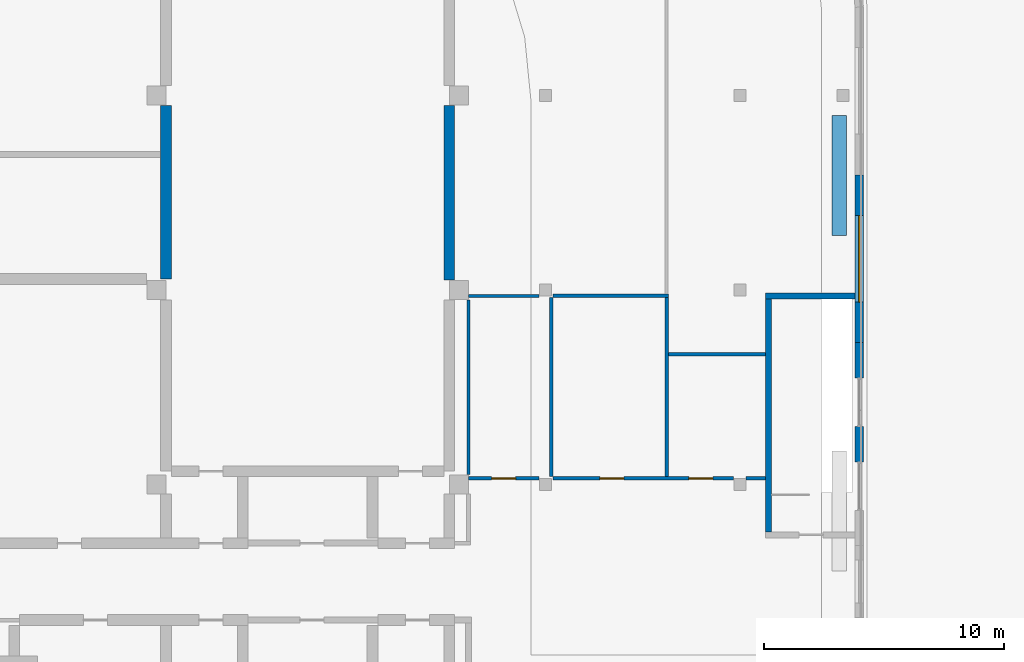
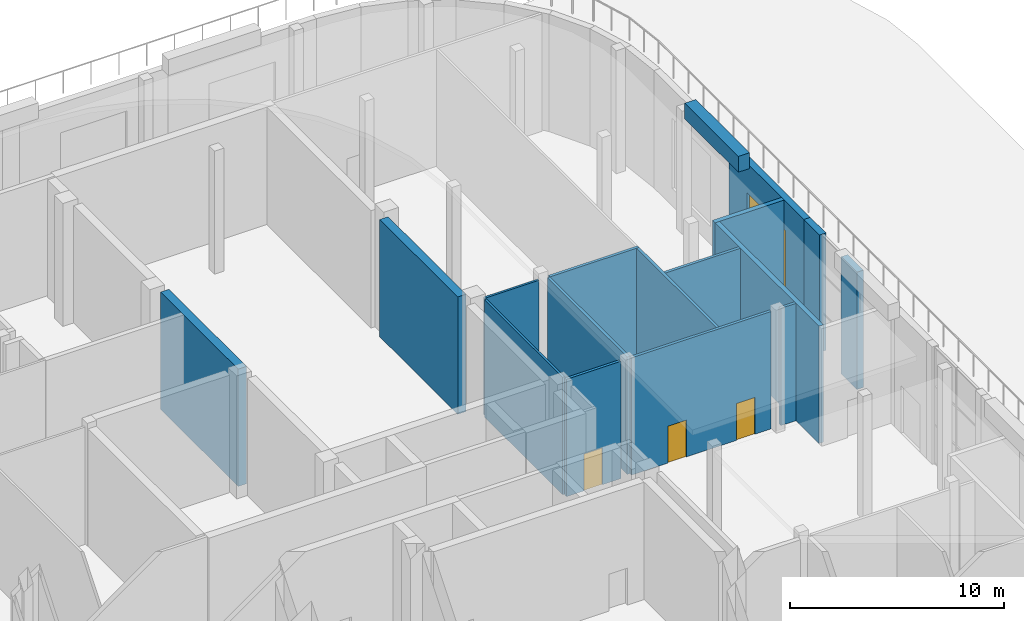
# One storey, part 14 of 21: 17 walls, 3 doors, 1 window, 4 openings.
"""IFC4 building model written with IfcOpenShell, lengths in metres."""

import ifcopenshell
import ifcopenshell.guid

model = None  # the IFC model being written
_history = None  # IfcOwnerHistory: only IFC2X3 demands one
_inside = {}  # id of a spatial element -> (the spatial element, [elements in it])
_under = {}  # id of a project, library or spatial element -> (it, [spatial elements below it])
_declared = {}  # id of a project -> (the project, [libraries it declares])
_typed = {}  # id of a type object -> (the type object, [elements of that type])
_made_of = {}  # id of a material, layer set ... -> (it, [elements and type objects made of it])


def new_model(schema):
    """Start an empty IFC model of exactly this schema.

    Asked for "IFC4X3", IfcOpenShell would pick the latest addendum, in which some entities
    have other attributes; the version numbers below select the first issue.
    IFC2X3 requires an IfcOwnerHistory on every rooted entity: one is made here for all.
    """
    global model, _history
    if schema == "IFC4X3":
        model = ifcopenshell.file(schema_version=(4, 3, 0, 0))
    else:
        model = ifcopenshell.file(schema=schema)
    _inside.clear()
    _under.clear()
    _declared.clear()
    _typed.clear()
    _made_of.clear()
    _history = None
    if model.schema == "IFC2X3":
        org = make("IfcOrganization", Name="unknown")
        user = make(
            "IfcPersonAndOrganization",
            ThePerson=make("IfcPerson", FamilyName="unknown"),
            TheOrganization=org,
        )
        app = make(
            "IfcApplication",
            ApplicationDeveloper=org,
            Version="unknown",
            ApplicationFullName="unknown",
            ApplicationIdentifier="unknown",
        )
        _history = make(
            "IfcOwnerHistory",
            OwningUser=user,
            OwningApplication=app,
            ChangeAction="ADDED",
            CreationDate=0,
        )
    return model


def make(cls, **values):
    """One entity of the class cls with the attributes given. An attribute that is None is left unset."""
    return model.create_entity(
        cls, **{name: value for name, value in values.items() if value is not None}
    )


def rooted(cls, **values):
    """An entity with a GlobalId (a new one), such as an element, a storey or a relation."""
    return make(cls, GlobalId=ifcopenshell.guid.new(), OwnerHistory=_history, **values)


def si_unit(unit_type, name, prefix=None):
    """IfcSIUnit, for example si_unit("LENGTHUNIT", "METRE", prefix="MILLI")."""
    return make("IfcSIUnit", UnitType=unit_type, Prefix=prefix, Name=name)


def assignment(units):
    """IfcUnitAssignment: the units of a project."""
    return None if units is None else make("IfcUnitAssignment", Units=units)


def point(xyz):
    """IfcCartesianPoint."""
    return None if xyz is None else make("IfcCartesianPoint", Coordinates=xyz)


def direction(xyz):
    """IfcDirection."""
    return None if xyz is None else make("IfcDirection", DirectionRatios=xyz)


def frame(location, z_axis=None, x_axis=None):
    """IfcAxis2Placement3D, a coordinate frame: its origin and axes. An axis left out is left unset."""
    return make(
        "IfcAxis2Placement3D",
        Location=point(location),
        Axis=direction(z_axis),
        RefDirection=direction(x_axis),
    )


def frame_2d(location, x_axis=None):
    """IfcAxis2Placement2D, a coordinate frame in the plane: its origin and x axis."""
    return make(
        "IfcAxis2Placement2D", Location=point(location), RefDirection=direction(x_axis)
    )


def origin():
    """The frame at (0, 0, 0) with its axes left unset."""
    return frame((0.0, 0.0, 0.0))


def place(relative_to, where):
    """IfcLocalPlacement: puts the frame where relative to a parent placement (None: the world)."""
    return make(
        "IfcLocalPlacement", PlacementRelTo=relative_to, RelativePlacement=where
    )


def context(
    kind, dimensions, precision=None, world=None, true_north=None, identifier=None
):
    """IfcGeometricRepresentationContext, for example the 3D "Model" context."""
    return make(
        "IfcGeometricRepresentationContext",
        ContextIdentifier=identifier,
        ContextType=kind,
        CoordinateSpaceDimension=dimensions,
        Precision=precision,
        WorldCoordinateSystem=world,
        TrueNorth=true_north,
    )


def subcontext(parent, identifier, kind, view, scale=None):
    """IfcGeometricRepresentationSubContext, for example "Body" below "Model"."""
    return make(
        "IfcGeometricRepresentationSubContext",
        ContextIdentifier=identifier,
        ContextType=kind,
        ParentContext=parent,
        TargetScale=scale,
        TargetView=view,
    )


def project(units=None, contexts=None):
    """IfcProject with its units and contexts."""
    return rooted(
        "IfcProject",
        Name="project",
        RepresentationContexts=contexts,
        UnitsInContext=assignment(units),
    )


def spatial(cls, under=None, at=None, **own):
    """A site, building, storey or space (cls), placed at a placement, below another one or the project."""
    s = rooted(cls, ObjectPlacement=at, **own)
    if under is not None:
        _under.setdefault(under.id(), (under, []))[1].append(s)
    return s


def profile(cls, at=None, kind="AREA", **sizes):
    """A parametric profile (cls). Its sizes go by their IFC names, for example OverallWidth=200.0."""
    return make(cls, ProfileType=kind, Position=at, **sizes)


def rectangle(**sizes):
    """IfcRectangleProfileDef."""
    return profile("IfcRectangleProfileDef", **sizes)


def extrude(swept, where, along, depth):
    """IfcExtrudedAreaSolid: the profile swept, set in the frame where, extruded along a direction by depth."""
    return make(
        "IfcExtrudedAreaSolid",
        SweptArea=swept,
        Position=where,
        ExtrudedDirection=direction(along),
        Depth=depth,
    )


def shape(context_of_items, identifier, shape_type, items):
    """IfcShapeRepresentation: the items that make up one representation, for example the "Body"."""
    return make(
        "IfcShapeRepresentation",
        ContextOfItems=context_of_items,
        RepresentationIdentifier=identifier,
        RepresentationType=shape_type,
        Items=items,
    )


def material(Name=None, Category=None):
    """IfcMaterial."""
    return make("IfcMaterial", Name=Name, Category=Category)


def layer(
    of_material, thickness, ventilated=None, Name=None, Category=None, Priority=None
):
    """IfcMaterialLayer: one layer of a wall or slab, of a material (None: an air gap)."""
    return make(
        "IfcMaterialLayer",
        Material=of_material,
        LayerThickness=thickness,
        IsVentilated=ventilated,
        Name=Name,
        Category=Category,
        Priority=Priority,
    )


def layer_set(layers, Name=None):
    """IfcMaterialLayerSet."""
    return make("IfcMaterialLayerSet", MaterialLayers=layers, LayerSetName=Name)


def made_of(thing, what):
    """Note that an element or type object is made of a material, layer set ...; save() writes the relation."""
    if what is not None:
        _made_of.setdefault(what.id(), (what, []))[1].append(thing)
    return thing


def type_object(cls, material=None, **own):
    """A type object (cls), such as IfcWallType, which elements share."""
    return made_of(rooted(cls, **own), material)


def element(
    cls,
    number,
    at=None,
    inside=None,
    cuts=None,
    type_object=None,
    material=None,
    context=None,
    identifier="Body",
    shape_type=None,
    held_by="IfcProductDefinitionShape",
    body=None,
    shapes=None,
    **own,
):
    """One element of the class cls, such as IfcWall. Its Tag is "e" and its number.

    at: its placement. inside: the storey or other place that contains it. cuts: it is an
    opening in that element (IfcRelVoidsElement). A single representation is given by context,
    identifier, shape_type and body (its items); several are given by shapes. held_by: the class
    of the entity that holds the representations. save() writes the other relations.
    """
    e = rooted(cls, Tag="e%d" % number, ObjectPlacement=at, **own)
    if body is not None:
        shapes = [shape(context, identifier, shape_type, body)]
    if shapes is not None:
        e.Representation = make(held_by, Representations=shapes)
    if inside is not None:
        _inside.setdefault(inside.id(), (inside, []))[1].append(e)
    if cuts is not None:
        rooted(
            "IfcRelVoidsElement", RelatingBuildingElement=cuts, RelatedOpeningElement=e
        )
    if type_object is not None:
        _typed.setdefault(type_object.id(), (type_object, []))[1].append(e)
    return made_of(e, material)


def fill(opening, filler):
    """IfcRelFillsElement: the door or window that sits in an opening."""
    return rooted(
        "IfcRelFillsElement",
        RelatingOpeningElement=opening,
        RelatedBuildingElement=filler,
    )


def aggregate(whole, parts):
    """IfcRelAggregates: a whole, such as a stair, and the parts it consists of."""
    return rooted("IfcRelAggregates", RelatingObject=whole, RelatedObjects=parts)


def save(model, path):
    """Write the relations noted so far, then the file.

    IfcRelAggregates (storeys below a building ...), IfcRelContainedInSpatialStructure (elements
    in a storey), IfcRelDefinesByType, IfcRelAssociatesMaterial and IfcRelDeclares: one each for
    every whole, place, type object, material and project.
    """
    for whole, parts in _under.values():
        aggregate(whole, parts)
    for where, things in _inside.values():
        rooted(
            "IfcRelContainedInSpatialStructure",
            RelatedElements=things,
            RelatingStructure=where,
        )
    for kind, things in _typed.values():
        rooted("IfcRelDefinesByType", RelatedObjects=things, RelatingType=kind)
    for what, things in _made_of.values():
        rooted("IfcRelAssociatesMaterial", RelatedObjects=things, RelatingMaterial=what)
    for by, libraries in _declared.values():
        rooted("IfcRelDeclares", RelatingContext=by, RelatedDefinitions=libraries)
    model.write(path)


model = new_model("IFC4")

# Units and contexts
model_context = context("Model", 3, precision=1e-05, world=origin(), true_north=direction((0.0, 1.0)))
body_context = subcontext(model_context, "Body", "Model", "MODEL_VIEW")
ifc_project = project(units=[si_unit("LENGTHUNIT", "METRE"), si_unit("AREAUNIT", "SQUARE_METRE"), si_unit("VOLUMEUNIT", "CUBIC_METRE"), si_unit("PLANEANGLEUNIT", "RADIAN"), si_unit("MASSUNIT", "GRAM", prefix="KILO")], contexts=[model_context])

# Site, building, storey
site_placement = place(None, origin())
site = spatial("IfcSite", under=ifc_project, at=site_placement, CompositionType="ELEMENT")
building_placement = place(site_placement, origin())
building = spatial("IfcBuilding", under=site, at=building_placement, Name="Torre Triforio", CompositionType="ELEMENT")
storey_placement = place(building_placement, frame((0.0, 0.0, 6.0)))
storey = spatial("IfcBuildingStorey", under=building, at=storey_placement, Name="L01", CompositionType="ELEMENT", Elevation=6.0)

# Wall, opening, door
ifc_material_1 = material(Name="Plasterboard on metal studs")
ifc_layer_1 = layer(ifc_material_1, 0.14990234375)
ifc_layer_set_1 = layer_set([ifc_layer_1], Name="Plasterboard on metal studs")
wall_type_1 = type_object("IfcWallType", Name="Corridor wall 150 EI 60", PredefinedType="PARTITIONING", material=ifc_layer_set_1)
wall_1_placement = place(storey_placement, frame((45.409912109375, 8.35009765625, 0.0), z_axis=(0.0, 0.0, 1.0), x_axis=(1.0, 0.0, 0.0)))
wall_1 = element("IfcWall", 1, at=wall_1_placement, inside=storey, type_object=wall_type_1, Name="Corridor wall L01 085", PredefinedType="PARTITIONING", context=body_context, shape_type="SweptSolid", body=[
    extrude(rectangle(XDim=2.93017578125, YDim=0.14990234375, at=frame_2d((1.465087890625, 0.0))), origin(), (0.0, 0.0, 1.0), 6.679931640625),
])
opening_1_placement = place(wall_1_placement, frame((0.949951171875, 0.0, 0.0)))
opening_1 = element("IfcOpeningElement", 2, at=opening_1_placement, cuts=wall_1, Name="Opening P1-26", PredefinedType="OPENING", context=body_context, shape_type="SweptSolid", body=[
    extrude(rectangle(XDim=1.0, YDim=2.10009765625, at=frame_2d((0.5, 1.050048828125))), frame((0.0, 0.0849609375, 0.0), z_axis=(0.0, -1.0, 0.0), x_axis=(1.0, 0.0, 0.0)), (0.0, 0.0, 1.0), 0.169921875),
])
ifc_material_2 = material(Name="Timber door leaf", Category="wood")
door_type_1 = type_object("IfcDoorType", Name="Single door 1000 x 2100 EI 30", OperationType="NOTDEFINED", PredefinedType="DOOR", material=ifc_material_2)
door_1_placement = place(opening_1_placement, origin())
door_1 = element("IfcDoor", 3, at=door_1_placement, inside=storey, type_object=door_type_1, Name="Door P1-26", OperationType="SINGLE_SWING_LEFT", OverallHeight=2.10009765625, OverallWidth=1.0, PredefinedType="DOOR", context=body_context, shape_type="SweptSolid", body=[
    extrude(rectangle(XDim=1.0, YDim=2.10009765625, at=frame_2d((0.5, 1.050048828125))), frame((0.0, 0.02490234375, 0.0), z_axis=(0.0, -1.0, 0.0), x_axis=(1.0, 0.0, 0.0)), (0.0, 0.0, 1.0), 0.050048828125),
])
fill(opening_1, door_1)

# Walls
ifc_layer_2 = layer(ifc_material_1, 0.1201171875)
ifc_layer_set_2 = layer_set([ifc_layer_2], Name="Plasterboard on metal studs")
wall_type_2 = type_object("IfcWallType", Name="Partition 120", PredefinedType="PARTITIONING", material=ifc_layer_set_2)
wall_2_placement = place(storey_placement, frame((45.409912109375, 15.949951171875, 0.0), z_axis=(0.0, 0.0, 1.0), x_axis=(1.0, 0.0, 0.0)))
element("IfcWall", 4, at=wall_2_placement, inside=storey, type_object=wall_type_2, Name="Partition L01 083", PredefinedType="PARTITIONING", context=body_context, shape_type="SweptSolid", body=[
    extrude(rectangle(XDim=2.93017578125, YDim=0.1201171875, at=frame_2d((1.465087890625, 0.0))), origin(), (0.0, 0.0, 1.0), 6.679931640625),
])
wall_3_placement = place(storey_placement, frame((45.39990234375, 8.510009765625, 0.0), z_axis=(0.0, 0.0, 1.0), x_axis=(0.0, 1.0, 0.0)))
element("IfcWall", 5, at=wall_3_placement, inside=storey, type_object=wall_type_2, Name="Partition L01 084", PredefinedType="PARTITIONING", context=body_context, shape_type="SweptSolid", body=[
    extrude(rectangle(XDim=7.280029296875, YDim=0.1201171875, at=frame_2d((3.64013671875, 0.0))), origin(), (0.0, 0.0, 1.0), 6.679931640625),
])
ifc_material_3 = material(Name="Concrete C40", Category="concrete")
ifc_layer_3 = layer(ifc_material_3, 0.25)
ifc_layer_set_3 = layer_set([ifc_layer_3], Name="Concrete C40")
wall_type_3 = type_object("IfcWallType", Name="Stair enclosure wall 250 EI 120", PredefinedType="STANDARD", material=ifc_layer_set_3)
wall_4_placement = place(storey_placement, frame((57.77490234375, 15.949951171875, 0.0), z_axis=(0.0, 0.0, 1.0), x_axis=(1.0, 0.0, 0.0)))
element("IfcWall", 6, at=wall_4_placement, inside=storey, type_object=wall_type_3, Name="Stair enclosure wall L01 014", PredefinedType="STANDARD", context=body_context, shape_type="SweptSolid", body=[
    extrude(rectangle(XDim=3.72509765625, YDim=0.25, at=frame_2d((1.862548828125, 0.0))), origin(), (0.0, 0.0, 1.0), 6.679931640625),
])
wall_5_placement = place(storey_placement, frame((57.89990234375, 6.125, 0.0), z_axis=(0.0, 0.0, 1.0), x_axis=(0.0, 1.0, 0.0)))
element("IfcWall", 7, at=wall_5_placement, inside=storey, type_object=wall_type_3, Name="Stair enclosure wall L01 120", PredefinedType="STANDARD", context=body_context, shape_type="SweptSolid", body=[
    extrude(rectangle(XDim=9.699951171875, YDim=0.25, at=frame_2d((4.85009765625, 0.0))), origin(), (0.0, 0.0, 1.0), 6.679931640625),
])
ifc_material_4 = material(Name="Limestone cladding", Category="masonry")
ifc_layer_4 = layer(ifc_material_4, 0.10009765625)
ifc_layer_5 = layer(ifc_material_3, 0.25)
ifc_layer_set_4 = layer_set([ifc_layer_4, ifc_layer_5], Name="Limestone cladding / Concrete C40")
wall_type_4 = type_object("IfcWallType", Name="Stone-clad podium wall 350", PredefinedType="STANDARD", material=ifc_layer_set_4)
wall_6_placement = place(storey_placement, frame((61.675048828125, 9.041748046875, 0.0), z_axis=(0.0, 0.0, 1.0), x_axis=(0.0, 1.0, 0.0)))
element("IfcWall", 8, at=wall_6_placement, inside=storey, type_object=wall_type_4, Name="External wall L01 e08.4.0.g1", PredefinedType="STANDARD", context=body_context, shape_type="SweptSolid", body=[
    extrude(rectangle(XDim=1.466552734375, YDim=0.35009765625, at=frame_2d((0.7333984375, 0.0))), origin(), (0.0, 0.0, 1.0), 6.679931640625),
])
wall_7_placement = place(storey_placement, frame((61.675048828125, 12.533203125, 0.0), z_axis=(0.0, 0.0, 1.0), x_axis=(0.0, 1.0, 0.0)))
element("IfcWall", 9, at=wall_7_placement, inside=storey, type_object=wall_type_4, Name="External wall L01 e08.4.0.g2", PredefinedType="STANDARD", context=body_context, shape_type="SweptSolid", body=[
    extrude(rectangle(XDim=1.466796875, YDim=0.35009765625, at=frame_2d((0.7333984375, 0.0))), origin(), (0.0, 0.0, 1.0), 6.679931640625),
])

# Wall, opening, window
wall_8_placement = place(storey_placement, frame((61.675048828125, 14.0, 0.0), z_axis=(0.0, 0.0, 1.0), x_axis=(0.0, 1.0, 0.0)))
wall_8 = element("IfcWall", 10, at=wall_8_placement, inside=storey, type_object=wall_type_4, Name="External wall L01 e08.4.1.w0", PredefinedType="STANDARD", context=body_context, shape_type="SweptSolid", body=[
    extrude(rectangle(XDim=6.991943359375, YDim=0.35009765625, at=frame_2d((3.49609375, 0.0))), origin(), (0.0, 0.0, 1.0), 6.679931640625),
])
opening_2_placement = place(wall_8_placement, frame((1.696044921875, 0.0, 1.0)))
opening_2 = element("IfcOpeningElement", 11, at=opening_2_placement, cuts=wall_8, Name="Opening P1-W03", PredefinedType="OPENING", context=body_context, shape_type="SweptSolid", body=[
    extrude(rectangle(XDim=3.60009765625, YDim=4.0, at=frame_2d((1.800048828125, 2.0))), frame((0.0, 0.18505859375, 0.0), z_axis=(0.0, -1.0, 0.0), x_axis=(1.0, 0.0, 0.0)), (0.0, 0.0, 1.0), 0.3701171875),
])
ifc_material_5 = material(Name="Aluminium frame with clear double glazing", Category="aluminium")
window_type = type_object("IfcWindowType", Name="Podium window 3600 x 4000", PartitioningType="DOUBLE_PANEL_VERTICAL", PredefinedType="WINDOW", material=ifc_material_5)
window_placement = place(opening_2_placement, origin())
window = element("IfcWindow", 12, at=window_placement, inside=storey, type_object=window_type, Name="Window L01 e08.4.1.w0", OverallHeight=4.0, OverallWidth=3.60009765625, PartitioningType="SINGLE_PANEL", PredefinedType="WINDOW", context=body_context, shape_type="SweptSolid", body=[
    extrude(rectangle(XDim=3.60009765625, YDim=4.0, at=frame_2d((1.800048828125, 2.0))), frame((0.0, 0.030029296875, 0.0), z_axis=(0.0, -1.0, 0.0), x_axis=(1.0, 0.0, 0.0)), (0.0, 0.0, 1.0), 0.06005859375),
])
fill(opening_2, window)

# Walls
ifc_material_6 = material(Name="Double leaf masonry acoustic wall", Category="masonry")
ifc_layer_6 = layer(ifc_material_6, 0.449951171875)
ifc_layer_set_5 = layer_set([ifc_layer_6], Name="Double leaf masonry acoustic wall")
wall_type_5 = type_object("IfcWallType", Name="Studio sound wall 450 EI 60", PredefinedType="PARTITIONING", material=ifc_layer_set_5)
wall_9_placement = place(storey_placement, frame((44.60009765625, 16.610107421875, 0.0), z_axis=(0.0, 0.0, 1.0), x_axis=(0.0, 1.0, 0.0)))
element("IfcWall", 13, at=wall_9_placement, inside=storey, type_object=wall_type_5, Name="Studio sound wall L01 115", PredefinedType="PARTITIONING", context=body_context, shape_type="SweptSolid", body=[
    extrude(rectangle(XDim=7.27978515625, YDim=0.449951171875, at=frame_2d((3.639892578125, 0.0))), origin(), (0.0, 0.0, 1.0), 6.679931640625),
])
wall_10_placement = place(storey_placement, frame((32.800048828125, 16.64990234375, 0.0), z_axis=(0.0, 0.0, 1.0), x_axis=(0.0, 1.0, 0.0)))
element("IfcWall", 14, at=wall_10_placement, inside=storey, type_object=wall_type_5, Name="Studio sound wall L01 156", PredefinedType="PARTITIONING", context=body_context, shape_type="SweptSolid", body=[
    extrude(rectangle(XDim=7.239990234375, YDim=0.449951171875, at=frame_2d((3.6201171875, 0.0))), origin(), (0.0, 0.0, 1.0), 6.679931640625),
])
ifc_layer_7 = layer(ifc_material_4, 0.10009765625)
ifc_layer_8 = layer(ifc_material_3, 0.5)
ifc_layer_set_6 = layer_set([ifc_layer_7, ifc_layer_8], Name="Limestone cladding / Concrete C40")
wall_type_6 = type_object("IfcWallType", Name="Terrace planter wall 600", PredefinedType="PARAPET", material=ifc_layer_set_6)
wall_11_placement = place(storey_placement, frame((60.85009765625, 18.45751953125, 7.0), z_axis=(0.0, 0.0, 1.0), x_axis=(0.0, 1.0, 0.0)))
element("IfcWall", 15, at=wall_11_placement, inside=storey, type_object=wall_type_6, Name="Terrace T2 planter 09.4", PredefinedType="PARAPET", context=body_context, shape_type="SweptSolid", body=[
    extrude(rectangle(XDim=5.0, YDim=0.60009765625, at=frame_2d((2.5, 0.0))), origin(), (0.0, 0.0, 1.0), 0.89990234375),
])
ifc_layer_9 = layer(ifc_material_1, 0.14990234375)
ifc_layer_set_7 = layer_set([ifc_layer_9], Name="Plasterboard on metal studs")
wall_type_7 = type_object("IfcWallType", Name="Wet room wall 150", PredefinedType="PARTITIONING", material=ifc_layer_set_7)
for number, where, z_axis, x_axis, name in (
    (16, (53.64990234375, 8.425048828125, 0.0), (0.0, 0.0, 1.0), (0.0, 1.0, 0.0), "Wet room wall L01 001"),
    (17, (48.85009765625, 8.425048828125, 0.0), (0.0, 0.0, 1.0), (0.0, 1.0, 0.0), "Wet room wall L01 002"),
):
    element("IfcWall", number, at=place(storey_placement, frame(where, z_axis=z_axis, x_axis=x_axis)), inside=storey, type_object=wall_type_7, Name=name, PredefinedType="PARTITIONING", context=body_context, shape_type="SweptSolid", body=[
        extrude(rectangle(XDim=7.449951171875, YDim=0.14990234375, at=frame_2d((3.72509765625, 0.0))), origin(), (0.0, 0.0, 1.0), 6.679931640625),
    ])
wall_12_placement = place(storey_placement, frame((48.925048828125, 15.949951171875, 0.0), z_axis=(0.0, 0.0, 1.0), x_axis=(1.0, 0.0, 0.0)))
element("IfcWall", 18, at=wall_12_placement, inside=storey, type_object=wall_type_7, Name="Wet room wall L01 003", PredefinedType="PARTITIONING", context=body_context, shape_type="SweptSolid", body=[
    extrude(rectangle(XDim=4.800048828125, YDim=0.14990234375, at=frame_2d((2.39990234375, 0.0))), origin(), (0.0, 0.0, 1.0), 6.679931640625),
])

# Wall, openings, doors
wall_13_placement = place(storey_placement, frame((48.925048828125, 8.35009765625, 0.0), z_axis=(0.0, 0.0, 1.0), x_axis=(1.0, 0.0, 0.0)))
wall_13 = element("IfcWall", 19, at=wall_13_placement, inside=storey, type_object=wall_type_7, Name="Wet room wall L01 004", PredefinedType="PARTITIONING", context=body_context, shape_type="SweptSolid", body=[
    extrude(rectangle(XDim=7.514892578125, YDim=0.14990234375, at=frame_2d((3.75732421875, 0.0))), origin(), (0.0, 0.0, 1.0), 6.679931640625),
])
opening_3_placement = place(wall_13_placement, frame((1.949951171875, 0.0, 0.0)))
opening_3 = element("IfcOpeningElement", 20, at=opening_3_placement, cuts=wall_13, Name="Opening P1-19", PredefinedType="OPENING", context=body_context, shape_type="SweptSolid", body=[
    extrude(rectangle(XDim=1.0, YDim=2.10009765625, at=frame_2d((0.5, 1.050048828125))), frame((0.0, 0.0849609375, 0.0), z_axis=(0.0, -1.0, 0.0), x_axis=(1.0, 0.0, 0.0)), (0.0, 0.0, 1.0), 0.169921875),
])
opening_4_placement = place(wall_13_placement, frame((5.64990234375, 0.0, 0.0)))
opening_4 = element("IfcOpeningElement", 21, at=opening_4_placement, cuts=wall_13, Name="Opening P1-20", PredefinedType="OPENING", context=body_context, shape_type="SweptSolid", body=[
    extrude(rectangle(XDim=1.0, YDim=2.10009765625, at=frame_2d((0.5, 1.050048828125))), frame((0.0, 0.0849609375, 0.0), z_axis=(0.0, -1.0, 0.0), x_axis=(1.0, 0.0, 0.0)), (0.0, 0.0, 1.0), 0.169921875),
])
door_type_2 = type_object("IfcDoorType", Name="Single door 1000 x 2100", OperationType="NOTDEFINED", PredefinedType="DOOR", material=ifc_material_2)
door_2_placement = place(opening_3_placement, origin())
door_2 = element("IfcDoor", 22, at=door_2_placement, inside=storey, type_object=door_type_2, Name="Door P1-19", OperationType="SINGLE_SWING_LEFT", OverallHeight=2.10009765625, OverallWidth=1.0, PredefinedType="DOOR", context=body_context, shape_type="SweptSolid", body=[
    extrude(rectangle(XDim=1.0, YDim=2.10009765625, at=frame_2d((0.5, 1.050048828125))), frame((0.0, 0.02490234375, 0.0), z_axis=(0.0, -1.0, 0.0), x_axis=(1.0, 0.0, 0.0)), (0.0, 0.0, 1.0), 0.050048828125),
])
fill(opening_3, door_2)
door_3_placement = place(opening_4_placement, origin())
door_3 = element("IfcDoor", 23, at=door_3_placement, inside=storey, type_object=door_type_2, Name="Door P1-20", OperationType="SINGLE_SWING_LEFT", OverallHeight=2.10009765625, OverallWidth=1.0, PredefinedType="DOOR", context=body_context, shape_type="SweptSolid", body=[
    extrude(rectangle(XDim=1.0, YDim=2.10009765625, at=frame_2d((0.5, 1.050048828125))), frame((0.0, 0.02490234375, 0.0), z_axis=(0.0, -1.0, 0.0), x_axis=(1.0, 0.0, 0.0)), (0.0, 0.0, 1.0), 0.050048828125),
])
fill(opening_4, door_3)

# Walls
wall_14_placement = place(storey_placement, frame((53.72509765625, 13.526611328125, 0.0), z_axis=(0.0, 0.0, 1.0), x_axis=(1.0, 0.0, 0.0)))
element("IfcWall", 24, at=wall_14_placement, inside=storey, type_object=wall_type_7, Name="Wet room wall L01 009", PredefinedType="PARTITIONING", context=body_context, shape_type="SweptSolid", body=[
    extrude(rectangle(XDim=4.0498046875, YDim=0.14990234375, at=frame_2d((2.02490234375, 0.0))), origin(), (0.0, 0.0, 1.0), 6.679931640625),
])
wall_15_placement = place(storey_placement, frame((56.9599609375, 8.35009765625, 0.0), z_axis=(0.0, 0.0, 1.0), x_axis=(1.0, 0.0, 0.0)))
element("IfcWall", 25, at=wall_15_placement, inside=storey, type_object=wall_type_7, Name="Wet room wall L01 010", PredefinedType="PARTITIONING", context=body_context, shape_type="SweptSolid", body=[
    extrude(rectangle(XDim=0.81494140625, YDim=0.14990234375, at=frame_2d((0.407470703125, 0.0))), origin(), (0.0, 0.0, 1.0), 6.679931640625),
])

save(model, "model.ifc")
